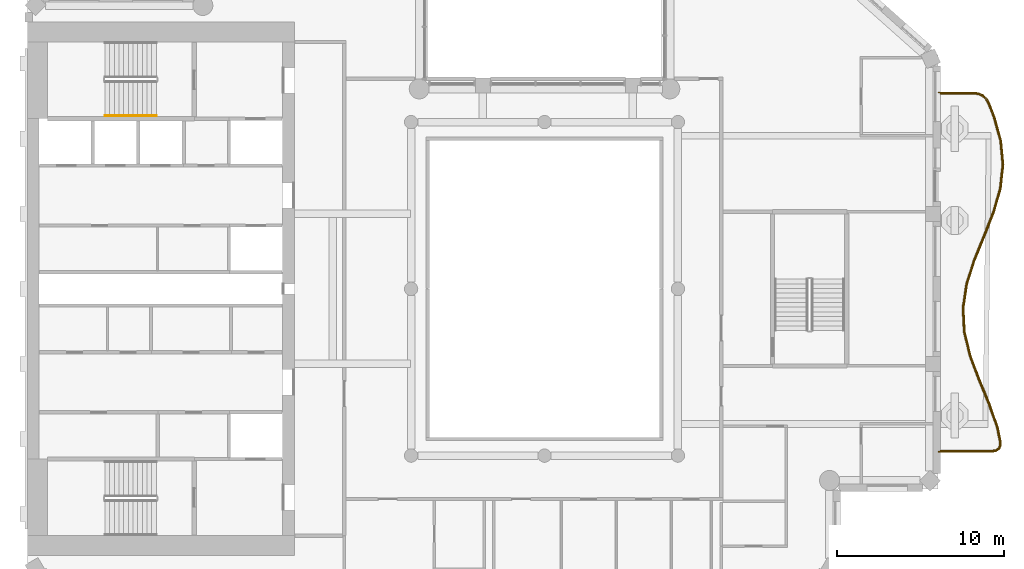
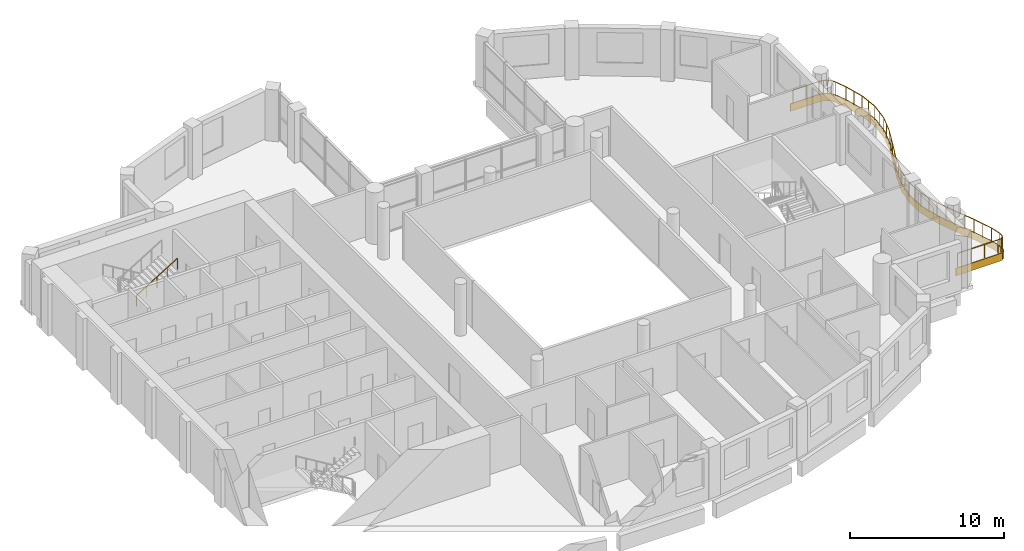
# One storey, part 13 of 15: 2 railings, 1 covering.
"""IFC4 building model written with IfcOpenShell, lengths in metres."""

import ifcopenshell
import ifcopenshell.guid

model = None  # the IFC model being written
_history = None  # IfcOwnerHistory: only IFC2X3 demands one
_inside = {}  # id of a spatial element -> (the spatial element, [elements in it])
_under = {}  # id of a project, library or spatial element -> (it, [spatial elements below it])
_declared = {}  # id of a project -> (the project, [libraries it declares])
_typed = {}  # id of a type object -> (the type object, [elements of that type])
_made_of = {}  # id of a material, layer set ... -> (it, [elements and type objects made of it])


def new_model(schema):
    """Start an empty IFC model of exactly this schema.

    Asked for "IFC4X3", IfcOpenShell would pick the latest addendum, in which some entities
    have other attributes; the version numbers below select the first issue.
    IFC2X3 requires an IfcOwnerHistory on every rooted entity: one is made here for all.
    """
    global model, _history
    if schema == "IFC4X3":
        model = ifcopenshell.file(schema_version=(4, 3, 0, 0))
    else:
        model = ifcopenshell.file(schema=schema)
    _inside.clear()
    _under.clear()
    _declared.clear()
    _typed.clear()
    _made_of.clear()
    _history = None
    if model.schema == "IFC2X3":
        org = make("IfcOrganization", Name="unknown")
        user = make(
            "IfcPersonAndOrganization",
            ThePerson=make("IfcPerson", FamilyName="unknown"),
            TheOrganization=org,
        )
        app = make(
            "IfcApplication",
            ApplicationDeveloper=org,
            Version="unknown",
            ApplicationFullName="unknown",
            ApplicationIdentifier="unknown",
        )
        _history = make(
            "IfcOwnerHistory",
            OwningUser=user,
            OwningApplication=app,
            ChangeAction="ADDED",
            CreationDate=0,
        )
    return model


def make(cls, **values):
    """One entity of the class cls with the attributes given. An attribute that is None is left unset."""
    return model.create_entity(
        cls, **{name: value for name, value in values.items() if value is not None}
    )


def rooted(cls, **values):
    """An entity with a GlobalId (a new one), such as an element, a storey or a relation."""
    return make(cls, GlobalId=ifcopenshell.guid.new(), OwnerHistory=_history, **values)


def si_unit(unit_type, name, prefix=None):
    """IfcSIUnit, for example si_unit("LENGTHUNIT", "METRE", prefix="MILLI")."""
    return make("IfcSIUnit", UnitType=unit_type, Prefix=prefix, Name=name)


def assignment(units):
    """IfcUnitAssignment: the units of a project."""
    return None if units is None else make("IfcUnitAssignment", Units=units)


def point(xyz):
    """IfcCartesianPoint."""
    return None if xyz is None else make("IfcCartesianPoint", Coordinates=xyz)


def direction(xyz):
    """IfcDirection."""
    return None if xyz is None else make("IfcDirection", DirectionRatios=xyz)


def frame(location, z_axis=None, x_axis=None):
    """IfcAxis2Placement3D, a coordinate frame: its origin and axes. An axis left out is left unset."""
    return make(
        "IfcAxis2Placement3D",
        Location=point(location),
        Axis=direction(z_axis),
        RefDirection=direction(x_axis),
    )


def frame_2d(location, x_axis=None):
    """IfcAxis2Placement2D, a coordinate frame in the plane: its origin and x axis."""
    return make(
        "IfcAxis2Placement2D", Location=point(location), RefDirection=direction(x_axis)
    )


def origin():
    """The frame at (0, 0, 0) with its axes left unset."""
    return frame((0.0, 0.0, 0.0))


def origin_2d():
    """The frame at (0, 0) in the plane with its x axis left unset."""
    return frame_2d((0.0, 0.0))


def place(relative_to, where):
    """IfcLocalPlacement: puts the frame where relative to a parent placement (None: the world)."""
    return make(
        "IfcLocalPlacement", PlacementRelTo=relative_to, RelativePlacement=where
    )


def context(
    kind, dimensions, precision=None, world=None, true_north=None, identifier=None
):
    """IfcGeometricRepresentationContext, for example the 3D "Model" context."""
    return make(
        "IfcGeometricRepresentationContext",
        ContextIdentifier=identifier,
        ContextType=kind,
        CoordinateSpaceDimension=dimensions,
        Precision=precision,
        WorldCoordinateSystem=world,
        TrueNorth=true_north,
    )


def subcontext(parent, identifier, kind, view, scale=None):
    """IfcGeometricRepresentationSubContext, for example "Body" below "Model"."""
    return make(
        "IfcGeometricRepresentationSubContext",
        ContextIdentifier=identifier,
        ContextType=kind,
        ParentContext=parent,
        TargetScale=scale,
        TargetView=view,
    )


def project(units=None, contexts=None):
    """IfcProject with its units and contexts."""
    return rooted(
        "IfcProject",
        Name="project",
        RepresentationContexts=contexts,
        UnitsInContext=assignment(units),
    )


def spatial(cls, under=None, at=None, **own):
    """A site, building, storey or space (cls), placed at a placement, below another one or the project."""
    s = rooted(cls, ObjectPlacement=at, **own)
    if under is not None:
        _under.setdefault(under.id(), (under, []))[1].append(s)
    return s


def polyline(points):
    """IfcPolyline through the points."""
    return make("IfcPolyline", Points=[point(p) for p in points])


def profile(cls, at=None, kind="AREA", **sizes):
    """A parametric profile (cls). Its sizes go by their IFC names, for example OverallWidth=200.0."""
    return make(cls, ProfileType=kind, Position=at, **sizes)


def rectangle(**sizes):
    """IfcRectangleProfileDef."""
    return profile("IfcRectangleProfileDef", **sizes)


def outline(outer, holes=None, kind="AREA"):
    """IfcArbitraryClosedProfileDef: a profile drawn as a closed curve; with holes, ...WithVoids."""
    if holes is None:
        return make("IfcArbitraryClosedProfileDef", ProfileType=kind, OuterCurve=outer)
    return make(
        "IfcArbitraryProfileDefWithVoids",
        ProfileType=kind,
        OuterCurve=outer,
        InnerCurves=holes,
    )


def extrude(swept, where, along, depth):
    """IfcExtrudedAreaSolid: the profile swept, set in the frame where, extruded along a direction by depth."""
    return make(
        "IfcExtrudedAreaSolid",
        SweptArea=swept,
        Position=where,
        ExtrudedDirection=direction(along),
        Depth=depth,
    )


def shape(context_of_items, identifier, shape_type, items):
    """IfcShapeRepresentation: the items that make up one representation, for example the "Body"."""
    return make(
        "IfcShapeRepresentation",
        ContextOfItems=context_of_items,
        RepresentationIdentifier=identifier,
        RepresentationType=shape_type,
        Items=items,
    )


def material(Name=None, Category=None):
    """IfcMaterial."""
    return make("IfcMaterial", Name=Name, Category=Category)


def layer(
    of_material, thickness, ventilated=None, Name=None, Category=None, Priority=None
):
    """IfcMaterialLayer: one layer of a wall or slab, of a material (None: an air gap)."""
    return make(
        "IfcMaterialLayer",
        Material=of_material,
        LayerThickness=thickness,
        IsVentilated=ventilated,
        Name=Name,
        Category=Category,
        Priority=Priority,
    )


def layer_set(layers, Name=None):
    """IfcMaterialLayerSet."""
    return make("IfcMaterialLayerSet", MaterialLayers=layers, LayerSetName=Name)


def made_of(thing, what):
    """Note that an element or type object is made of a material, layer set ...; save() writes the relation."""
    if what is not None:
        _made_of.setdefault(what.id(), (what, []))[1].append(thing)
    return thing


def type_object(cls, material=None, **own):
    """A type object (cls), such as IfcWallType, which elements share."""
    return made_of(rooted(cls, **own), material)


def element(
    cls,
    number,
    at=None,
    inside=None,
    cuts=None,
    type_object=None,
    material=None,
    context=None,
    identifier="Body",
    shape_type=None,
    held_by="IfcProductDefinitionShape",
    body=None,
    shapes=None,
    **own,
):
    """One element of the class cls, such as IfcWall. Its Tag is "e" and its number.

    at: its placement. inside: the storey or other place that contains it. cuts: it is an
    opening in that element (IfcRelVoidsElement). A single representation is given by context,
    identifier, shape_type and body (its items); several are given by shapes. held_by: the class
    of the entity that holds the representations. save() writes the other relations.
    """
    e = rooted(cls, Tag="e%d" % number, ObjectPlacement=at, **own)
    if body is not None:
        shapes = [shape(context, identifier, shape_type, body)]
    if shapes is not None:
        e.Representation = make(held_by, Representations=shapes)
    if inside is not None:
        _inside.setdefault(inside.id(), (inside, []))[1].append(e)
    if cuts is not None:
        rooted(
            "IfcRelVoidsElement", RelatingBuildingElement=cuts, RelatedOpeningElement=e
        )
    if type_object is not None:
        _typed.setdefault(type_object.id(), (type_object, []))[1].append(e)
    return made_of(e, material)


def aggregate(whole, parts):
    """IfcRelAggregates: a whole, such as a stair, and the parts it consists of."""
    return rooted("IfcRelAggregates", RelatingObject=whole, RelatedObjects=parts)


def save(model, path):
    """Write the relations noted so far, then the file.

    IfcRelAggregates (storeys below a building ...), IfcRelContainedInSpatialStructure (elements
    in a storey), IfcRelDefinesByType, IfcRelAssociatesMaterial and IfcRelDeclares: one each for
    every whole, place, type object, material and project.
    """
    for whole, parts in _under.values():
        aggregate(whole, parts)
    for where, things in _inside.values():
        rooted(
            "IfcRelContainedInSpatialStructure",
            RelatedElements=things,
            RelatingStructure=where,
        )
    for kind, things in _typed.values():
        rooted("IfcRelDefinesByType", RelatedObjects=things, RelatingType=kind)
    for what, things in _made_of.values():
        rooted("IfcRelAssociatesMaterial", RelatedObjects=things, RelatingMaterial=what)
    for by, libraries in _declared.values():
        rooted("IfcRelDeclares", RelatingContext=by, RelatedDefinitions=libraries)
    model.write(path)


model = new_model("IFC4")

# Units and contexts
model_context = context("Model", 3, precision=1e-05, world=origin(), true_north=direction((0.0, 1.0)))
body_context = subcontext(model_context, "Body", "Model", "MODEL_VIEW")
ifc_project = project(units=[si_unit("LENGTHUNIT", "METRE"), si_unit("AREAUNIT", "SQUARE_METRE"), si_unit("VOLUMEUNIT", "CUBIC_METRE"), si_unit("PLANEANGLEUNIT", "RADIAN"), si_unit("MASSUNIT", "GRAM", prefix="KILO")], contexts=[model_context])

# Site, building, storey
site_placement = place(None, origin())
site = spatial("IfcSite", under=ifc_project, at=site_placement, CompositionType="ELEMENT")
building_placement = place(site_placement, origin())
building = spatial("IfcBuilding", under=site, at=building_placement, Name="Cypress Arch Tower", CompositionType="ELEMENT")
storey_placement = place(building_placement, frame((0.0, 0.0, 321.300048828125)))
storey = spatial("IfcBuildingStorey", under=building, at=storey_placement, Name="L73", CompositionType="ELEMENT", Elevation=321.300048828125)

# Covering
ifc_material_1 = material(Name="White powder-coated aluminium fascia", Category="aluminium")
ifc_layer = layer(ifc_material_1, 0.050048828125)
ifc_layer_set = layer_set([ifc_layer], Name="Balcony fascia BF50")
covering_type = type_object("IfcCoveringType", Name="Balcony fascia BF50", PredefinedType="CLADDING", material=ifc_layer_set)
covering_placement = place(storey_placement, frame((0.0, 0.0, -0.60009765625)))
element("IfcCovering", 1, at=covering_placement, inside=storey, type_object=covering_type, Name="Balcony fascia L73-C17", PredefinedType="CLADDING", context=body_context, shape_type="SweptSolid", body=[
    extrude(outline(polyline([(26.715087890625, 11.800048828125), (27.044677734375, 11.75830078125), (27.322998046875, 11.630615234375), (27.54345703125, 11.417724609375), (27.702392578125, 11.126220703125), (28.0126953125, 10.33251953125), (28.412109375, 8.892578125), (28.550048828125, 7.44970703125), (28.391845703125, 6.0068359375), (27.977294921875, 4.567138671875), (27.4091796875, 3.13134765625), (26.827392578125, 1.69970703125), (26.3740234375, 0.27197265625), (26.1591796875, -1.15234375), (26.234375, -2.575927734375), (26.581787109375, -4.001953125), (27.117431640625, -5.431640625), (27.7109375, -6.865478515625), (28.21630859375, -8.30322265625), (28.3779296875, -9.0986328125), (28.394775390625, -9.395751953125), (28.30224609375, -9.621826171875), (28.09912109375, -9.757568359375), (27.804443359375, -9.800048828125), (24.60107421875, -9.800048828125), (24.60107421875, -9.75), (27.801025390625, -9.75), (28.080810546875, -9.709716796875), (28.26171875, -9.5888671875), (28.34423828125, -9.38720703125), (28.328125, -9.10498046875), (28.16796875, -8.316650390625), (27.6640625, -6.88330078125), (27.071044921875, -5.449951171875), (26.533935546875, -4.0166015625), (26.184814453125, -2.583251953125), (26.10888671875, -1.14990234375), (26.3251953125, 0.283447265625), (26.7802734375, 1.716552734375), (27.36279296875, 3.14990234375), (27.929931640625, 4.583251953125), (28.3427734375, 6.0166015625), (28.499755859375, 7.449951171875), (28.36279296875, 8.88330078125), (27.96533203125, 10.316650390625), (27.656982421875, 11.10498046875), (27.503173828125, 11.38720703125), (27.29443359375, 11.5888671875), (27.03076171875, 11.709716796875), (26.7119140625, 11.75), (24.60107421875, 11.75), (24.60107421875, 11.800048828125), (26.715087890625, 11.800048828125)])), origin(), (0.0, 0.0, 1.0), 0.60009765625),
])

# Railings
ifc_material_2 = material(Name="Powder-coated steel posts and rods, 100 mm clear between rods", Category="steel")
railing_type_1 = type_object("IfcRailingType", Name="Balcony guard GR1100", PredefinedType="GUARDRAIL", material=ifc_material_2)
railing_1_placement = place(storey_placement, frame((24.75, 11.699951171875, 0.0)))
element("IfcRailing", 2, at=railing_1_placement, inside=storey, type_object=railing_type_1, Name="Balcony guard L73-C17", PredefinedType="GUARDRAIL", context=body_context, shape_type="SweptSolid", body=[
    extrude(rectangle(XDim=0.050048828125, YDim=0.050048828125, at=origin_2d()), frame((0.0, 0.0, 1.0751953125), z_axis=(1.0, 0.0, 0.0), x_axis=(0.0, 1.0, 0.0)), (0.0, 0.0, 1.0), 1.958740234375),
    extrude(rectangle(XDim=0.050048828125, YDim=0.050048828125, at=origin_2d()), frame((1.958740234375, 0.0, 1.0751953125), z_axis=(0.992156454503, -0.125002279133, 0.0), x_axis=(0.125002279133, 0.992156454503, 0.0)), (0.0, 0.0, 1.0), 0.310546875),
    extrude(rectangle(XDim=0.050048828125, YDim=0.050048828125, at=origin_2d()), frame((2.266845703125, -0.038818359375, 1.0751953125), z_axis=(0.908895993906, -0.417022867792, 0.0), x_axis=(0.417022867792, 0.908895993906, 0.0)), (0.0, 0.0, 1.0), 0.27392578125),
    extrude(rectangle(XDim=0.050048828125, YDim=0.050048828125, at=origin_2d()), frame((2.515869140625, -0.153076171875, 1.0751953125), z_axis=(0.719032898731, -0.694976035948, 0.0), x_axis=(0.694976035948, 0.719032898731, 0.0)), (0.0, 0.0, 1.0), 0.27392578125),
    extrude(rectangle(XDim=0.050048828125, YDim=0.050048828125, at=origin_2d()), frame((2.712890625, -0.343505859375, 1.0751953125), z_axis=(0.478686907555, -0.877985674448, 0.0), x_axis=(0.877985674448, 0.478686907555, 0.0)), (0.0, 0.0, 1.0), 0.310546875),
    extrude(rectangle(XDim=0.050048828125, YDim=0.050048828125, at=origin_2d()), frame((2.861572265625, -0.6162109375, 1.0751953125), z_axis=(0.364169392879, -0.931332729635, 0.0), x_axis=(0.931332729635, 0.364169392879, 0.0)), (0.0, 0.0, 1.0), 0.840576171875),
    extrude(rectangle(XDim=0.050048828125, YDim=0.050048828125, at=origin_2d()), frame((3.167724609375, -1.399169921875, 1.0751953125), z_axis=(0.267329138391, -0.963605277988, 0.0), x_axis=(0.963605277988, 0.267329138391, 0.0)), (0.0, 0.0, 1.0), 1.48046875),
    extrude(rectangle(XDim=0.050048828125, YDim=0.050048828125, at=origin_2d()), frame((3.5634765625, -2.82568359375, 1.0751953125), z_axis=(0.095074906974, -0.995470121131, 0.0), x_axis=(0.995470121131, 0.095074906974, 0.0)), (0.0, 0.0, 1.0), 1.430419921875),
    extrude(rectangle(XDim=0.050048828125, YDim=0.050048828125, at=origin_2d()), frame((3.699462890625, -4.24951171875, 1.0751953125), z_axis=(-0.10889762521, -0.994052970029, 0.0), x_axis=(0.994052970029, -0.10889762521, 0.0)), (0.0, 0.0, 1.0), 1.4326171875),
    extrude(rectangle(XDim=0.050048828125, YDim=0.050048828125, at=origin_2d()), frame((3.54345703125, -5.673583984375, 1.0751953125), z_axis=(-0.276696530592, -0.960957350749, 0.0), x_axis=(0.960957350749, -0.276696530592, 0.0)), (0.0, 0.0, 1.0), 1.48486328125),
    extrude(rectangle(XDim=0.050048828125, YDim=0.050048828125, at=origin_2d()), frame((3.132568359375, -7.1005859375, 1.0751953125), z_axis=(-0.367968427191, -0.929838285182, 0.0), x_axis=(0.929838285182, -0.367968427191, 0.0)), (0.0, 0.0, 1.0), 1.53857421875),
    extrude(rectangle(XDim=0.050048828125, YDim=0.050048828125, at=origin_2d()), frame((2.56640625, -8.53125, 1.0751953125), z_axis=(-0.376520777001, -0.926408173802, 0.0), x_axis=(0.926408173802, -0.376520777001, 0.0)), (0.0, 0.0, 1.0), 1.549072265625),
    extrude(rectangle(XDim=0.050048828125, YDim=0.050048828125, at=origin_2d()), frame((1.983154296875, -9.96630859375, 1.0751953125), z_axis=(-0.302709706692, -0.953082805151, 0.0), x_axis=(0.953082805151, -0.302709706692, 0.0)), (0.0, 0.0, 1.0), 1.509765625),
    extrude(rectangle(XDim=0.050048828125, YDim=0.050048828125, at=origin_2d()), frame((1.526123046875, -11.4052734375, 1.0751953125), z_axis=(-0.14898710572, -0.988839138753, 0.0), x_axis=(0.988839138753, -0.14898710572, 0.0)), (0.0, 0.0, 1.0), 1.45849609375),
    extrude(rectangle(XDim=0.050048828125, YDim=0.050048828125, at=origin_2d()), frame((1.308837890625, -12.847412109375, 1.0751953125), z_axis=(0.052709572643, -0.998609884265, 0.0), x_axis=(0.998609884265, 0.052709572643, 0.0)), (0.0, 0.0, 1.0), 1.445068359375),
    extrude(rectangle(XDim=0.050048828125, YDim=0.050048828125, at=origin_2d()), frame((1.385009765625, -14.29052734375, 1.0751953125), z_axis=(0.236721215431, -0.971577617159, 0.0), x_axis=(0.971577617159, 0.236721215431, 0.0)), (0.0, 0.0, 1.0), 1.483154296875),
    extrude(rectangle(XDim=0.050048828125, YDim=0.050048828125, at=origin_2d()), frame((1.736083984375, -15.7314453125, 1.0751953125), z_axis=(0.35086185908, -0.936427229336, 0.0), x_axis=(0.936427229336, 0.35086185908, 0.0)), (0.0, 0.0, 1.0), 1.534423828125),
    extrude(rectangle(XDim=0.050048828125, YDim=0.050048828125, at=origin_2d()), frame((2.2744140625, -17.168212890625, 1.0751953125), z_axis=(0.382412049145, -0.92399189643, 0.0), x_axis=(0.92399189643, 0.382412049145, 0.0)), (0.0, 0.0, 1.0), 1.55078125),
    extrude(rectangle(XDim=0.050048828125, YDim=0.050048828125, at=origin_2d()), frame((2.867431640625, -18.60107421875, 1.0751953125), z_axis=(0.331563548548, -0.943432887531, 0.0), x_axis=(0.943432887531, 0.331563548548, 0.0)), (0.0, 0.0, 1.0), 1.5146484375),
    extrude(rectangle(XDim=0.050048828125, YDim=0.050048828125, at=origin_2d()), frame((3.36962890625, -20.030029296875, 1.0751953125), z_axis=(0.19905992429, -0.979987319582, 0.0), x_axis=(0.979987319582, 0.19905992429, 0.0)), (0.0, 0.0, 1.0), 0.797119140625),
    extrude(rectangle(XDim=0.050048828125, YDim=0.050048828125, at=origin_2d()), frame((3.5283203125, -20.811279296875, 1.0751953125), z_axis=(0.057439257703, -0.998349002942, 0.0), x_axis=(0.998349002942, 0.057439257703, 0.0)), (0.0, 0.0, 1.0), 0.267822265625),
    extrude(rectangle(XDim=0.050048828125, YDim=0.050048828125, at=origin_2d()), frame((3.543701171875, -21.07861328125, 1.0751953125), z_axis=(-0.377986352418, -0.92581116724, 0.0), x_axis=(0.92581116724, -0.377986352418, 0.0)), (0.0, 0.0, 1.0), 0.191162109375),
    extrude(rectangle(XDim=0.050048828125, YDim=0.050048828125, at=origin_2d()), frame((3.471435546875, -21.255615234375, 1.0751953125), z_axis=(-0.831853957687, -0.554994588334, 0.0), x_axis=(0.554994588334, -0.831853957687, 0.0)), (0.0, 0.0, 1.0), 0.19140625),
    extrude(rectangle(XDim=0.050048828125, YDim=0.050048828125, at=origin_2d()), frame((3.312255859375, -21.36181640625, 1.0751953125), z_axis=(-0.98982137107, -0.142315330771, 0.0), x_axis=(0.142315330771, -0.98982137107, 0.0)), (0.0, 0.0, 1.0), 0.267578125),
    extrude(rectangle(XDim=0.050048828125, YDim=0.050048828125, at=origin_2d()), frame((3.04736328125, -21.39990234375, 1.0751953125), z_axis=(-1.0, 0.0, 0.0), x_axis=(0.0, -1.0, 0.0)), (0.0, 0.0, 1.0), 3.04736328125),
    extrude(rectangle(XDim=0.0400390625, YDim=0.0400390625, at=origin_2d()), origin(), (0.0, 0.0, 1.0), 1.050048828125),
    extrude(rectangle(XDim=0.0400390625, YDim=0.0400390625, at=origin_2d()), frame((0.9794921875, 0.0, 0.0)), (0.0, 0.0, 1.0), 1.050048828125),
    extrude(rectangle(XDim=0.0400390625, YDim=0.0400390625, at=origin_2d()), frame((1.958740234375, 0.0, 0.0)), (0.0, 0.0, 1.0), 1.050048828125),
    extrude(rectangle(XDim=0.0400390625, YDim=0.0400390625, at=origin_2d()), frame((2.266845703125, -0.038818359375, 0.0)), (0.0, 0.0, 1.0), 1.050048828125),
    extrude(rectangle(XDim=0.0400390625, YDim=0.0400390625, at=origin_2d()), frame((2.515869140625, -0.153076171875, 0.0)), (0.0, 0.0, 1.0), 1.050048828125),
    extrude(rectangle(XDim=0.0400390625, YDim=0.0400390625, at=origin_2d()), frame((2.712890625, -0.343505859375, 0.0)), (0.0, 0.0, 1.0), 1.050048828125),
    extrude(rectangle(XDim=0.0400390625, YDim=0.0400390625, at=origin_2d()), frame((2.861572265625, -0.6162109375, 0.0)), (0.0, 0.0, 1.0), 1.050048828125),
    extrude(rectangle(XDim=0.0400390625, YDim=0.0400390625, at=origin_2d()), frame((3.167724609375, -1.399169921875, 0.0)), (0.0, 0.0, 1.0), 1.050048828125),
    extrude(rectangle(XDim=0.0400390625, YDim=0.0400390625, at=origin_2d()), frame((3.36572265625, -2.1123046875, 0.0)), (0.0, 0.0, 1.0), 1.050048828125),
    extrude(rectangle(XDim=0.0400390625, YDim=0.0400390625, at=origin_2d()), frame((3.5634765625, -2.82568359375, 0.0)), (0.0, 0.0, 1.0), 1.050048828125),
    extrude(rectangle(XDim=0.0400390625, YDim=0.0400390625, at=origin_2d()), frame((3.63134765625, -3.53759765625, 0.0)), (0.0, 0.0, 1.0), 1.050048828125),
    extrude(rectangle(XDim=0.0400390625, YDim=0.0400390625, at=origin_2d()), frame((3.699462890625, -4.24951171875, 0.0)), (0.0, 0.0, 1.0), 1.050048828125),
    extrude(rectangle(XDim=0.0400390625, YDim=0.0400390625, at=origin_2d()), frame((3.62158203125, -4.96142578125, 0.0)), (0.0, 0.0, 1.0), 1.050048828125),
    extrude(rectangle(XDim=0.0400390625, YDim=0.0400390625, at=origin_2d()), frame((3.54345703125, -5.673583984375, 0.0)), (0.0, 0.0, 1.0), 1.050048828125),
    extrude(rectangle(XDim=0.0400390625, YDim=0.0400390625, at=origin_2d()), frame((3.337890625, -6.38720703125, 0.0)), (0.0, 0.0, 1.0), 1.050048828125),
    extrude(rectangle(XDim=0.0400390625, YDim=0.0400390625, at=origin_2d()), frame((3.132568359375, -7.1005859375, 0.0)), (0.0, 0.0, 1.0), 1.050048828125),
    extrude(rectangle(XDim=0.0400390625, YDim=0.0400390625, at=origin_2d()), frame((2.849609375, -7.81591796875, 0.0)), (0.0, 0.0, 1.0), 1.050048828125),
    extrude(rectangle(XDim=0.0400390625, YDim=0.0400390625, at=origin_2d()), frame((2.56640625, -8.53125, 0.0)), (0.0, 0.0, 1.0), 1.050048828125),
    extrude(rectangle(XDim=0.0400390625, YDim=0.0400390625, at=origin_2d()), frame((2.27490234375, -9.248779296875, 0.0)), (0.0, 0.0, 1.0), 1.050048828125),
    extrude(rectangle(XDim=0.0400390625, YDim=0.0400390625, at=origin_2d()), frame((1.983154296875, -9.96630859375, 0.0)), (0.0, 0.0, 1.0), 1.050048828125),
    extrude(rectangle(XDim=0.0400390625, YDim=0.0400390625, at=origin_2d()), frame((1.754638671875, -10.685791015625, 0.0)), (0.0, 0.0, 1.0), 1.050048828125),
    extrude(rectangle(XDim=0.0400390625, YDim=0.0400390625, at=origin_2d()), frame((1.526123046875, -11.4052734375, 0.0)), (0.0, 0.0, 1.0), 1.050048828125),
    extrude(rectangle(XDim=0.0400390625, YDim=0.0400390625, at=origin_2d()), frame((1.41748046875, -12.12646484375, 0.0)), (0.0, 0.0, 1.0), 1.050048828125),
    extrude(rectangle(XDim=0.0400390625, YDim=0.0400390625, at=origin_2d()), frame((1.308837890625, -12.847412109375, 0.0)), (0.0, 0.0, 1.0), 1.050048828125),
    extrude(rectangle(XDim=0.0400390625, YDim=0.0400390625, at=origin_2d()), frame((1.346923828125, -13.56884765625, 0.0)), (0.0, 0.0, 1.0), 1.050048828125),
    extrude(rectangle(XDim=0.0400390625, YDim=0.0400390625, at=origin_2d()), frame((1.385009765625, -14.29052734375, 0.0)), (0.0, 0.0, 1.0), 1.050048828125),
    extrude(rectangle(XDim=0.0400390625, YDim=0.0400390625, at=origin_2d()), frame((1.560546875, -15.010986328125, 0.0)), (0.0, 0.0, 1.0), 1.050048828125),
    extrude(rectangle(XDim=0.0400390625, YDim=0.0400390625, at=origin_2d()), frame((1.736083984375, -15.7314453125, 0.0)), (0.0, 0.0, 1.0), 1.050048828125),
    extrude(rectangle(XDim=0.0400390625, YDim=0.0400390625, at=origin_2d()), frame((2.00537109375, -16.44970703125, 0.0)), (0.0, 0.0, 1.0), 1.050048828125),
    extrude(rectangle(XDim=0.0400390625, YDim=0.0400390625, at=origin_2d()), frame((2.2744140625, -17.168212890625, 0.0)), (0.0, 0.0, 1.0), 1.050048828125),
    extrude(rectangle(XDim=0.0400390625, YDim=0.0400390625, at=origin_2d()), frame((2.57080078125, -17.884765625, 0.0)), (0.0, 0.0, 1.0), 1.050048828125),
    extrude(rectangle(XDim=0.0400390625, YDim=0.0400390625, at=origin_2d()), frame((2.867431640625, -18.60107421875, 0.0)), (0.0, 0.0, 1.0), 1.050048828125),
    extrude(rectangle(XDim=0.0400390625, YDim=0.0400390625, at=origin_2d()), frame((3.11865234375, -19.3154296875, 0.0)), (0.0, 0.0, 1.0), 1.050048828125),
    extrude(rectangle(XDim=0.0400390625, YDim=0.0400390625, at=origin_2d()), frame((3.36962890625, -20.030029296875, 0.0)), (0.0, 0.0, 1.0), 1.050048828125),
    extrude(rectangle(XDim=0.0400390625, YDim=0.0400390625, at=origin_2d()), frame((3.5283203125, -20.811279296875, 0.0)), (0.0, 0.0, 1.0), 1.050048828125),
    extrude(rectangle(XDim=0.0400390625, YDim=0.0400390625, at=origin_2d()), frame((3.543701171875, -21.07861328125, 0.0)), (0.0, 0.0, 1.0), 1.050048828125),
    extrude(rectangle(XDim=0.0400390625, YDim=0.0400390625, at=origin_2d()), frame((3.471435546875, -21.255615234375, 0.0)), (0.0, 0.0, 1.0), 1.050048828125),
    extrude(rectangle(XDim=0.0400390625, YDim=0.0400390625, at=origin_2d()), frame((3.312255859375, -21.36181640625, 0.0)), (0.0, 0.0, 1.0), 1.050048828125),
    extrude(rectangle(XDim=0.0400390625, YDim=0.0400390625, at=origin_2d()), frame((3.04736328125, -21.39990234375, 0.0)), (0.0, 0.0, 1.0), 1.050048828125),
    extrude(rectangle(XDim=0.0400390625, YDim=0.0400390625, at=origin_2d()), frame((2.031494140625, -21.39990234375, 0.0)), (0.0, 0.0, 1.0), 1.050048828125),
    extrude(rectangle(XDim=0.0400390625, YDim=0.0400390625, at=origin_2d()), frame((1.015869140625, -21.39990234375, 0.0)), (0.0, 0.0, 1.0), 1.050048828125),
    extrude(rectangle(XDim=0.0400390625, YDim=0.0400390625, at=origin_2d()), frame((0.0, -21.39990234375, 0.0)), (0.0, 0.0, 1.0), 1.050048828125),
])
ifc_material_3 = material(Name="Black powder-coated steel square bar 48 mm", Category="steel")
railing_type_2 = type_object("IfcRailingType", Name="Stair handrail HR1", PredefinedType="HANDRAIL", material=ifc_material_3)
railing_2_placement = place(storey_placement, frame((-25.35498046875, 10.375, 2.220703125)))
element("IfcRailing", 3, at=railing_2_placement, inside=storey, type_object=railing_type_2, Name="L73 B stair handrail 2", PredefinedType="HANDRAIL", context=body_context, shape_type="SweptSolid", body=[
    extrude(rectangle(XDim=0.048095703125, YDim=0.048095703125, at=origin_2d()), frame((0.0, 0.0, 0.8759765625), z_axis=(0.853666305674, 0.0, 0.52082035152), x_axis=(0.0, 1.0, 0.0)), (0.0, 0.0, 1.0), 3.608154296875),
    extrude(rectangle(XDim=0.0419921875, YDim=0.0419921875, at=origin_2d()), origin(), (0.0, 0.0, 1.0), 0.851806640625),
    extrude(rectangle(XDim=0.0419921875, YDim=0.0419921875, at=origin_2d()), frame((0.77001953125, 0.0, 0.4697265625)), (0.0, 0.0, 1.0), 0.851806640625),
    extrude(rectangle(XDim=0.0419921875, YDim=0.0419921875, at=origin_2d()), frame((1.5400390625, 0.0, 0.939453125)), (0.0, 0.0, 1.0), 0.851806640625),
    extrude(rectangle(XDim=0.0419921875, YDim=0.0419921875, at=origin_2d()), frame((2.31005859375, 0.0, 1.409423828125)), (0.0, 0.0, 1.0), 0.851806640625),
    extrude(rectangle(XDim=0.0419921875, YDim=0.0419921875, at=origin_2d()), frame((3.080078125, 0.0, 1.879150390625)), (0.0, 0.0, 1.0), 0.851806640625),
])

save(model, "model.ifc")
